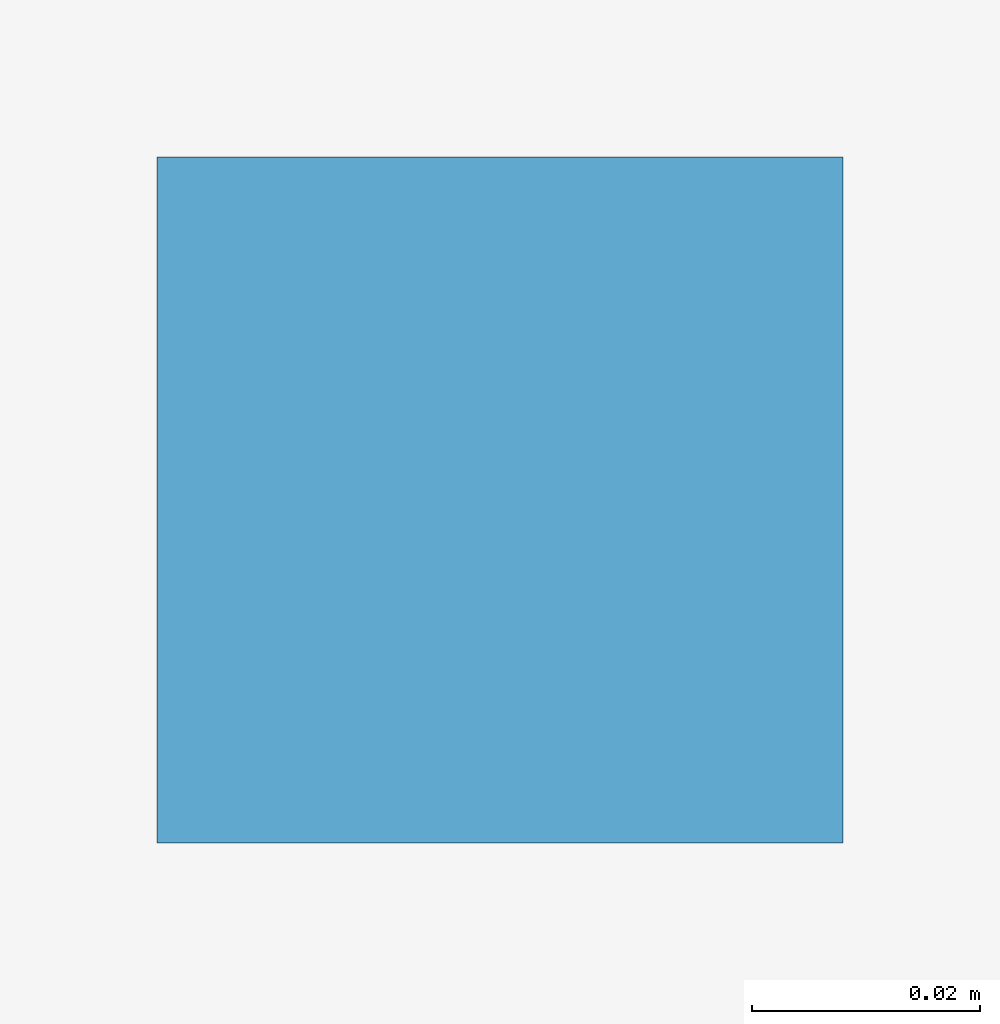
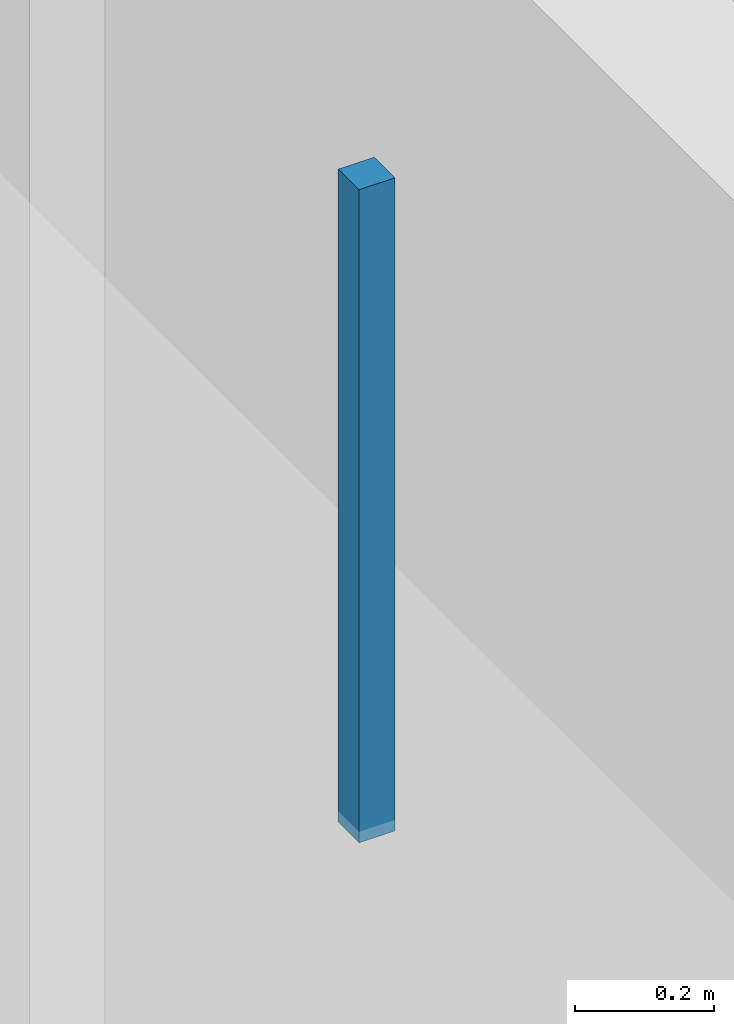
# One storey, part 112 of 141: 1 discrete accessory.
"""IFC4 building model written with IfcOpenShell, lengths in metres."""

from ifc_helpers import new_model, si_unit, direction, frame, origin, origin_2d, place, context, subcontext, project, spatial, rectangle, extrude, material, type_object, element, save


model = new_model("IFC4")

# Units and contexts
model_context = context("Model", 3, precision=1e-05, world=origin(), true_north=direction((0.0, 1.0)))
body_context = subcontext(model_context, "Body", "Model", "MODEL_VIEW")
ifc_project = project(units=[si_unit("LENGTHUNIT", "METRE"), si_unit("AREAUNIT", "SQUARE_METRE"), si_unit("VOLUMEUNIT", "CUBIC_METRE"), si_unit("PLANEANGLEUNIT", "RADIAN"), si_unit("MASSUNIT", "GRAM", prefix="KILO")], contexts=[model_context])

# Site, building, storey
site_placement = place(None, origin())
site = spatial("IfcSite", under=ifc_project, at=site_placement, CompositionType="ELEMENT")
building_placement = place(site_placement, origin())
building = spatial("IfcBuilding", under=site, at=building_placement, Name="Khelvaren Railside Concert Hall", CompositionType="ELEMENT")
storey_placement = place(building_placement, frame((0.0, 0.0, 10.199951171875)))
storey = spatial("IfcBuildingStorey", under=building, at=storey_placement, Name="L02", CompositionType="ELEMENT", Elevation=10.199951171875)

# Discrete accessory
ifc_material = material(Name="Galvanised steel acoustic ceiling hanger rod", Category="steel")
discrete_accessory_type = type_object("IfcDiscreteAccessoryType", Name="BRK62", PredefinedType="BRACKET", material=ifc_material)
discrete_accessory_placement = place(storey_placement, frame((30.93994140625, 111.375, 3.43017578125), z_axis=(0.0, 0.0, 1.0), x_axis=(1.0, 0.0, 0.0)))
element("IfcDiscreteAccessory", 1, at=discrete_accessory_placement, inside=storey, type_object=discrete_accessory_type, Name="Acoustic Ceiling Suspension Bracket 119-2", PredefinedType="BRACKET", context=body_context, shape_type="SweptSolid", body=[
    extrude(rectangle(XDim=0.06005859375, YDim=0.06005859375, at=origin_2d()), origin(), (0.0, 0.0, 1.0), 1.14990234375),
])

save(model, "model.ifc")
